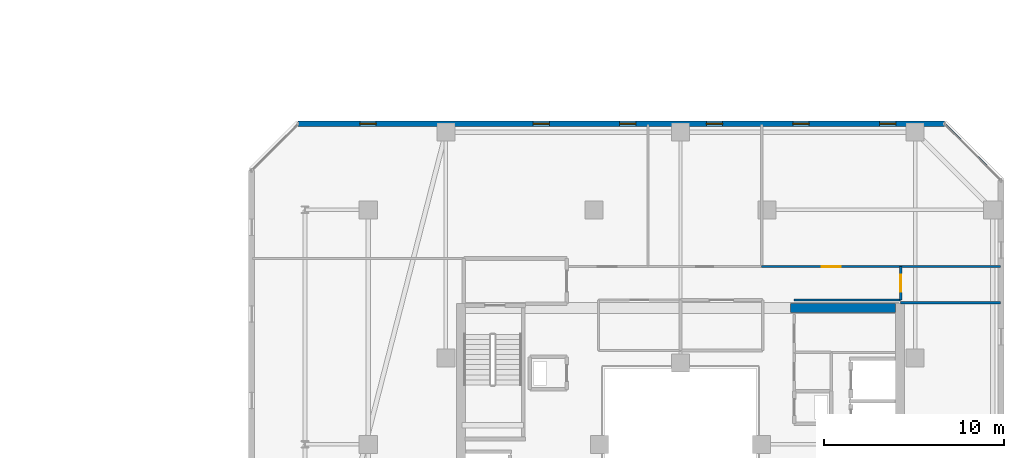
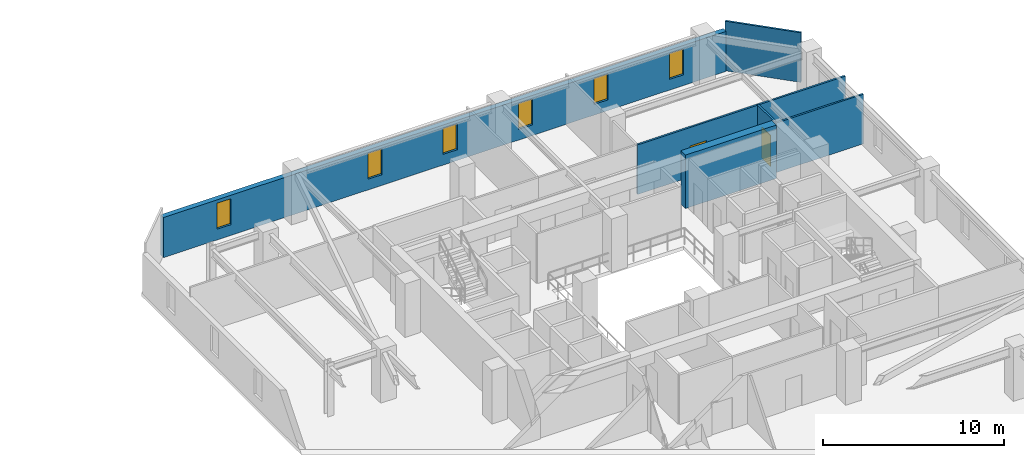
# One storey, part 26 of 33: 8 walls, 6 windows, 2 doors, 8 openings.
"""IFC4 building model written with IfcOpenShell, lengths in metres."""

from ifc_helpers import new_model, si_unit, direction, frame, frame_2d, origin, place, context, subcontext, project, spatial, rectangle, extrude, material, layer, layer_set, type_object, element, fill, save


model = new_model("IFC4")

# Units and contexts
model_context = context("Model", 3, precision=1e-05, world=origin(), true_north=direction((0.0, 1.0)))
body_context = subcontext(model_context, "Body", "Model", "MODEL_VIEW")
ifc_project = project(units=[si_unit("LENGTHUNIT", "METRE"), si_unit("AREAUNIT", "SQUARE_METRE"), si_unit("VOLUMEUNIT", "CUBIC_METRE"), si_unit("PLANEANGLEUNIT", "RADIAN"), si_unit("MASSUNIT", "GRAM", prefix="KILO")], contexts=[model_context])

# Site, building, storey
site_placement = place(None, origin())
site = spatial("IfcSite", under=ifc_project, at=site_placement, CompositionType="ELEMENT")
building_placement = place(site_placement, origin())
building = spatial("IfcBuilding", under=site, at=building_placement, Name="Thornwick Lancets Civic Towers", CompositionType="ELEMENT")
storey_placement = place(building_placement, frame((0.0, 0.0, 214.5)))
storey = spatial("IfcBuildingStorey", under=building, at=storey_placement, Name="L57", CompositionType="ELEMENT", Elevation=214.5)

# Wall
ifc_material_1 = material(Name="Concrete C50/60", Category="concrete")
ifc_layer_1 = layer(ifc_material_1, 0.5, Name="Concrete C50/60")
ifc_layer_set_1 = layer_set([ifc_layer_1], Name="Concrete C50/60")
wall_type_1 = type_object("IfcWallType", Name="WALL_CORE_500", PredefinedType="SHEAR", material=ifc_layer_set_1)
wall_1_placement = place(storey_placement, frame((94.60009765625, 34.550048828125, 0.0), z_axis=(0.0, 0.0, 1.0), x_axis=(1.0, 0.0, 0.0)))
element("IfcWall", 1, at=wall_1_placement, inside=storey, type_object=wall_type_1, Name="L57 Split Core B1 Shear Wall N", PredefinedType="SHEAR", context=body_context, shape_type="SweptSolid", body=[
    extrude(rectangle(XDim=5.7998046875, YDim=0.5, at=frame_2d((2.89990234375, 0.0))), origin(), (0.0, 0.0, 1.0), 3.60009765625),
])

# Wall, openings, windows
ifc_material_2 = material(Name="Insulated buff terracotta rainscreen on concrete C40/50", Category="masonry")
ifc_layer_2 = layer(ifc_material_2, 0.320068359375, Name="Insulated buff terracotta rainscreen on concrete C40/50")
ifc_layer_set_2 = layer_set([ifc_layer_2], Name="Insulated buff terracotta rainscreen on concrete C40/50")
wall_type_2 = type_object("IfcWallType", Name="WALL_EXT_TERRA_320", PredefinedType="STANDARD", material=ifc_layer_set_2)
wall_2_placement = place(storey_placement, frame((103.12939453125, 44.7626953125, 0.0), z_axis=(0.0, 0.0, 1.0), x_axis=(-0.999999998513, 5.4540124e-05, 0.0)))
wall_2 = element("IfcWall", 2, at=wall_2_placement, inside=storey, type_object=wall_type_2, Name="L57 Tower B Terracotta Facade Wall E4", PredefinedType="STANDARD", context=body_context, shape_type="SweptSolid", body=[
    extrude(rectangle(XDim=35.810791015625, YDim=0.320068359375, at=frame_2d((17.9052734375, 0.0))), origin(), (0.0, 0.0, 1.0), 2.699951171875),
])
opening_1_placement = place(wall_2_placement, frame((2.699951171875, 0.0, 0.719970703125)))
opening_1 = element("IfcOpeningElement", 3, at=opening_1_placement, cuts=wall_2, Name="Opening WL-01", PredefinedType="OPENING", context=body_context, shape_type="SweptSolid", body=[
    extrude(rectangle(XDim=0.89990234375, YDim=1.75, at=frame_2d((0.449951171875, 0.875))), frame((0.0, 0.169921875, 0.0), z_axis=(0.0, -1.0, 0.0), x_axis=(1.0, 0.0, 0.0)), (0.0, 0.0, 1.0), 0.340087890625),
])
opening_2_placement = place(wall_2_placement, frame((7.5, 0.0, 0.719970703125)))
opening_2 = element("IfcOpeningElement", 4, at=opening_2_placement, cuts=wall_2, Name="Opening WL-01", PredefinedType="OPENING", context=body_context, shape_type="SweptSolid", body=[
    extrude(rectangle(XDim=0.89990234375, YDim=1.75, at=frame_2d((0.449951171875, 0.875))), frame((0.0, 0.169921875, 0.0), z_axis=(0.0, -1.0, 0.0), x_axis=(1.0, 0.0, 0.0)), (0.0, 0.0, 1.0), 0.340087890625),
])
opening_3_placement = place(wall_2_placement, frame((12.300048828125, 0.0, 0.719970703125)))
opening_3 = element("IfcOpeningElement", 5, at=opening_3_placement, cuts=wall_2, Name="Opening WL-01", PredefinedType="OPENING", context=body_context, shape_type="SweptSolid", body=[
    extrude(rectangle(XDim=0.89990234375, YDim=1.75, at=frame_2d((0.449951171875, 0.875))), frame((0.0, 0.169921875, 0.0), z_axis=(0.0, -1.0, 0.0), x_axis=(1.0, 0.0, 0.0)), (0.0, 0.0, 1.0), 0.340087890625),
])
opening_4_placement = place(wall_2_placement, frame((17.10009765625, 0.0, 0.719970703125)))
opening_4 = element("IfcOpeningElement", 6, at=opening_4_placement, cuts=wall_2, Name="Opening WL-01", PredefinedType="OPENING", context=body_context, shape_type="SweptSolid", body=[
    extrude(rectangle(XDim=0.89990234375, YDim=1.75, at=frame_2d((0.449951171875, 0.875))), frame((0.0, 0.169921875, 0.0), z_axis=(0.0, -1.0, 0.0), x_axis=(1.0, 0.0, 0.0)), (0.0, 0.0, 1.0), 0.340087890625),
])
opening_5_placement = place(wall_2_placement, frame((21.89990234375, 0.0, 0.719970703125)))
opening_5 = element("IfcOpeningElement", 7, at=opening_5_placement, cuts=wall_2, Name="Opening WL-01", PredefinedType="OPENING", context=body_context, shape_type="SweptSolid", body=[
    extrude(rectangle(XDim=0.89990234375, YDim=1.75, at=frame_2d((0.449951171875, 0.875))), frame((0.0, 0.169921875, 0.0), z_axis=(0.0, -1.0, 0.0), x_axis=(1.0, 0.0, 0.0)), (0.0, 0.0, 1.0), 0.340087890625),
])
opening_6_placement = place(wall_2_placement, frame((31.5, 0.0, 0.719970703125)))
opening_6 = element("IfcOpeningElement", 8, at=opening_6_placement, cuts=wall_2, Name="Opening WL-01", PredefinedType="OPENING", context=body_context, shape_type="SweptSolid", body=[
    extrude(rectangle(XDim=0.89990234375, YDim=1.75, at=frame_2d((0.449951171875, 0.875))), frame((0.0, 0.169921875, 0.0), z_axis=(0.0, -1.0, 0.0), x_axis=(1.0, 0.0, 0.0)), (0.0, 0.0, 1.0), 0.340087890625),
])
ifc_material_3 = material(Name="Clear low-e double glazing in bronze frame", Category="glass")
window_type = type_object("IfcWindowType", Name="WIN_LANCET_900", PartitioningType="SINGLE_PANEL", PredefinedType="WINDOW", material=ifc_material_3)
window_1_placement = place(opening_1_placement, origin())
window_1 = element("IfcWindow", 9, at=window_1_placement, inside=storey, type_object=window_type, Name="L57 Tower B Staggered Lancet Window E4-1", OverallHeight=1.75, OverallWidth=0.89990234375, PartitioningType="SINGLE_PANEL", PredefinedType="WINDOW", context=body_context, shape_type="SweptSolid", body=[
    extrude(rectangle(XDim=0.89990234375, YDim=1.75, at=frame_2d((0.449951171875, 0.875))), frame((0.0, 0.030029296875, 0.0), z_axis=(0.0, -1.0, 0.0), x_axis=(1.0, 0.0, 0.0)), (0.0, 0.0, 1.0), 0.06005859375),
])
fill(opening_1, window_1)
window_2_placement = place(opening_2_placement, origin())
window_2 = element("IfcWindow", 10, at=window_2_placement, inside=storey, type_object=window_type, Name="L57 Tower B Staggered Lancet Window E4-2", OverallHeight=1.75, OverallWidth=0.89990234375, PartitioningType="SINGLE_PANEL", PredefinedType="WINDOW", context=body_context, shape_type="SweptSolid", body=[
    extrude(rectangle(XDim=0.89990234375, YDim=1.75, at=frame_2d((0.449951171875, 0.875))), frame((0.0, 0.030029296875, 0.0), z_axis=(0.0, -1.0, 0.0), x_axis=(1.0, 0.0, 0.0)), (0.0, 0.0, 1.0), 0.06005859375),
])
fill(opening_2, window_2)
window_3_placement = place(opening_3_placement, origin())
window_3 = element("IfcWindow", 11, at=window_3_placement, inside=storey, type_object=window_type, Name="L57 Tower B Staggered Lancet Window E4-3", OverallHeight=1.75, OverallWidth=0.89990234375, PartitioningType="SINGLE_PANEL", PredefinedType="WINDOW", context=body_context, shape_type="SweptSolid", body=[
    extrude(rectangle(XDim=0.89990234375, YDim=1.75, at=frame_2d((0.449951171875, 0.875))), frame((0.0, 0.030029296875, 0.0), z_axis=(0.0, -1.0, 0.0), x_axis=(1.0, 0.0, 0.0)), (0.0, 0.0, 1.0), 0.06005859375),
])
fill(opening_3, window_3)
window_4_placement = place(opening_4_placement, origin())
window_4 = element("IfcWindow", 12, at=window_4_placement, inside=storey, type_object=window_type, Name="L57 Tower B Staggered Lancet Window E4-4", OverallHeight=1.75, OverallWidth=0.89990234375, PartitioningType="SINGLE_PANEL", PredefinedType="WINDOW", context=body_context, shape_type="SweptSolid", body=[
    extrude(rectangle(XDim=0.89990234375, YDim=1.75, at=frame_2d((0.449951171875, 0.875))), frame((0.0, 0.030029296875, 0.0), z_axis=(0.0, -1.0, 0.0), x_axis=(1.0, 0.0, 0.0)), (0.0, 0.0, 1.0), 0.06005859375),
])
fill(opening_4, window_4)
window_5_placement = place(opening_5_placement, origin())
window_5 = element("IfcWindow", 13, at=window_5_placement, inside=storey, type_object=window_type, Name="L57 Tower B Staggered Lancet Window E4-5", OverallHeight=1.75, OverallWidth=0.89990234375, PartitioningType="SINGLE_PANEL", PredefinedType="WINDOW", context=body_context, shape_type="SweptSolid", body=[
    extrude(rectangle(XDim=0.89990234375, YDim=1.75, at=frame_2d((0.449951171875, 0.875))), frame((0.0, 0.030029296875, 0.0), z_axis=(0.0, -1.0, 0.0), x_axis=(1.0, 0.0, 0.0)), (0.0, 0.0, 1.0), 0.06005859375),
])
fill(opening_5, window_5)
window_6_placement = place(opening_6_placement, origin())
window_6 = element("IfcWindow", 14, at=window_6_placement, inside=storey, type_object=window_type, Name="L57 Tower B Staggered Lancet Window E4-6", OverallHeight=1.75, OverallWidth=0.89990234375, PartitioningType="SINGLE_PANEL", PredefinedType="WINDOW", context=body_context, shape_type="SweptSolid", body=[
    extrude(rectangle(XDim=0.89990234375, YDim=1.75, at=frame_2d((0.449951171875, 0.875))), frame((0.0, 0.030029296875, 0.0), z_axis=(0.0, -1.0, 0.0), x_axis=(1.0, 0.0, 0.0)), (0.0, 0.0, 1.0), 0.06005859375),
])
fill(opening_6, window_6)

# Wall
ifc_material_4 = material(Name="Acoustic gypsum board partition")
ifc_layer_3 = layer(ifc_material_4, 0.1201171875, Name="Acoustic gypsum board partition")
ifc_layer_set_3 = layer_set([ifc_layer_3], Name="Acoustic gypsum board partition")
wall_type_3 = type_object("IfcWallType", Name="WALL_PART_120", PredefinedType="PARTITIONING", material=ifc_layer_set_3)
wall_3_placement = place(storey_placement, frame((94.800048828125, 35.0, 0.0), z_axis=(0.0, 0.0, 1.0), x_axis=(1.0, 0.0, 0.0)))
element("IfcWall", 15, at=wall_3_placement, inside=storey, type_object=wall_type_3, Name="L57 Partition L57-B-RECLAIM-L E2", PredefinedType="PARTITIONING", context=body_context, shape_type="SweptSolid", body=[
    extrude(rectangle(XDim=5.89990234375, YDim=0.1201171875, at=frame_2d((2.949951171875, 0.0))), origin(), (0.0, 0.0, 1.0), 3.340087890625),
])

# Wall, opening, door
wall_4_placement = place(storey_placement, frame((100.699951171875, 35.0, 0.0), z_axis=(0.0, 0.0, 1.0), x_axis=(0.0, 1.0, 0.0)))
wall_4 = element("IfcWall", 16, at=wall_4_placement, inside=storey, type_object=wall_type_3, Name="L57 Partition L57-B-RECLAIM-L E3", PredefinedType="PARTITIONING", context=body_context, shape_type="SweptSolid", body=[
    extrude(rectangle(XDim=1.85009765625, YDim=0.1201171875, at=frame_2d((0.925048828125, 0.0))), origin(), (0.0, 0.0, 1.0), 3.340087890625),
])
opening_7_placement = place(wall_4_placement, frame((0.449951171875, 0.0, 0.0)))
opening_7 = element("IfcOpeningElement", 17, at=opening_7_placement, cuts=wall_4, Name="Opening D-L57-2563", PredefinedType="OPENING", context=body_context, shape_type="SweptSolid", body=[
    extrude(rectangle(XDim=0.949951171875, YDim=2.10009765625, at=frame_2d((0.47509765625, 1.050048828125))), frame((0.0, 0.070068359375, 0.0), z_axis=(0.0, -1.0, 0.0), x_axis=(1.0, 0.0, 0.0)), (0.0, 0.0, 1.0), 0.14013671875),
])
ifc_material_5 = material(Name="European oak acoustic doorset")
door_type_1 = type_object("IfcDoorType", Name="DOOR_OFFICE_950", OperationType="NOTDEFINED", PredefinedType="DOOR", material=ifc_material_5)
door_1_placement = place(opening_7_placement, origin())
door_1 = element("IfcDoor", 18, at=door_1_placement, inside=storey, type_object=door_type_1, Name="L57 Tower B Parliamentary Drafting Library Door", OperationType="SINGLE_SWING_RIGHT", OverallHeight=2.10009765625, OverallWidth=0.949951171875, PredefinedType="DOOR", context=body_context, shape_type="SweptSolid", body=[
    extrude(rectangle(XDim=0.949951171875, YDim=2.10009765625, at=frame_2d((0.47509765625, 1.050048828125))), frame((0.0, 0.02490234375, 0.0), z_axis=(0.0, -1.0, 0.0), x_axis=(1.0, 0.0, 0.0)), (0.0, 0.0, 1.0), 0.050048828125),
])
fill(opening_7, door_1)

# Walls
for number, where, z_axis, x_axis, name in (
    (19, (100.699951171875, 36.85009765625, 0.0), (0.0, 0.0, 1.0), (1.0, 0.0, 0.0), "L57 Partition L57-B-RECLAIM-L E4"),
    (20, (106.219970703125, 34.85009765625, 0.0), (0.0, 0.0, 1.0), (-1.0, 0.0, 0.0), "L57 Partition L57-B-RECLAIM-L E6"),
):
    element("IfcWall", number, at=place(storey_placement, frame(where, z_axis=z_axis, x_axis=x_axis)), inside=storey, type_object=wall_type_3, Name=name, PredefinedType="PARTITIONING", context=body_context, shape_type="SweptSolid", body=[
        extrude(rectangle(XDim=5.52001953125, YDim=0.1201171875, at=frame_2d((2.760009765625, 0.0))), origin(), (0.0, 0.0, 1.0), 3.340087890625),
    ])

# Wall, opening, door
wall_5_placement = place(storey_placement, frame((100.699951171875, 36.85009765625, 0.0), z_axis=(0.0, 0.0, 1.0), x_axis=(-1.0, 0.0, 0.0)))
wall_5 = element("IfcWall", 21, at=wall_5_placement, inside=storey, type_object=wall_type_3, Name="L57 Partition L57-B-E1 E1", PredefinedType="PARTITIONING", context=body_context, shape_type="SweptSolid", body=[
    extrude(rectangle(XDim=7.699951171875, YDim=0.1201171875, at=frame_2d((3.85009765625, 0.0))), origin(), (0.0, 0.0, 1.0), 3.340087890625),
])
opening_8_placement = place(wall_5_placement, frame((3.324951171875, 0.0, 0.0)))
opening_8 = element("IfcOpeningElement", 22, at=opening_8_placement, cuts=wall_5, Name="Opening D-L57-2570", PredefinedType="OPENING", context=body_context, shape_type="SweptSolid", body=[
    extrude(rectangle(XDim=1.050048828125, YDim=2.10009765625, at=frame_2d((0.52490234375, 1.050048828125))), frame((0.0, 0.070068359375, 0.0), z_axis=(0.0, -1.0, 0.0), x_axis=(1.0, 0.0, 0.0)), (0.0, 0.0, 1.0), 0.14013671875),
])
ifc_material_6 = material(Name="Glazed European oak executive doorset")
door_type_2 = type_object("IfcDoorType", Name="DOOR_OFFICE_1050", OperationType="NOTDEFINED", PredefinedType="DOOR", material=ifc_material_6)
door_2_placement = place(opening_8_placement, origin())
door_2 = element("IfcDoor", 23, at=door_2_placement, inside=storey, type_object=door_type_2, Name="L57 Tower B Secretariat Open Office E1 Door", OperationType="SINGLE_SWING_LEFT", OverallHeight=2.10009765625, OverallWidth=1.050048828125, PredefinedType="DOOR", context=body_context, shape_type="SweptSolid", body=[
    extrude(rectangle(XDim=1.050048828125, YDim=2.10009765625, at=frame_2d((0.52490234375, 1.050048828125))), frame((0.0, 0.02490234375, 0.0), z_axis=(0.0, -1.0, 0.0), x_axis=(1.0, 0.0, 0.0)), (0.0, 0.0, 1.0), 0.050048828125),
])
fill(opening_8, door_2)

# Wall
wall_6_placement = place(storey_placement, frame((103.17138671875, 44.719970703125, 0.0), z_axis=(0.0, 0.0, 1.0), x_axis=(0.707106781187, -0.707106781187, 0.0)))
element("IfcWall", 24, at=wall_6_placement, inside=storey, type_object=wall_type_3, Name="L57 Partition L57-B-E1 E4", PredefinedType="PARTITIONING", context=body_context, shape_type="SweptSolid", body=[
    extrude(rectangle(XDim=4.311279296875, YDim=0.1201171875, at=frame_2d((2.15576171875, 0.0))), origin(), (0.0, 0.0, 1.0), 3.340087890625),
])

save(model, "model.ifc")
